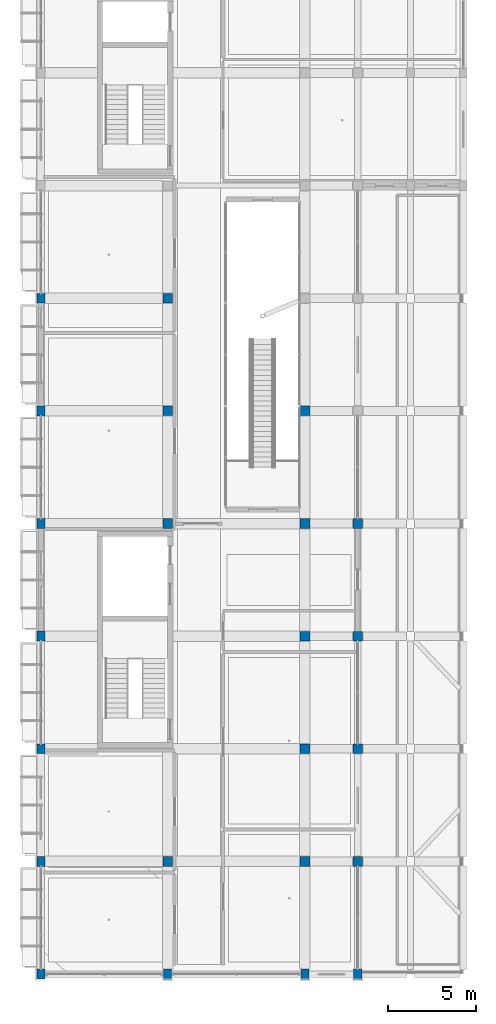
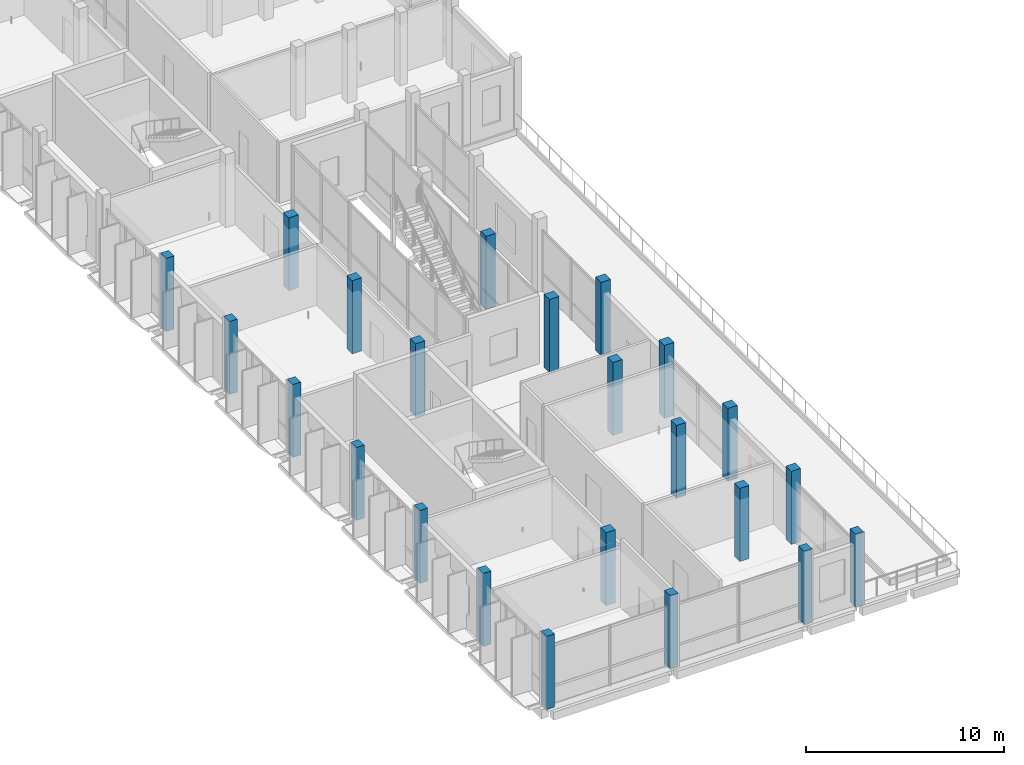
# One storey, part 1 of 95: 23 columns.
"""IFC4 building model written with IfcOpenShell, lengths in metres."""

from ifc_helpers import new_model, si_unit, derived_unit, direction, frame, origin, origin_2d, place, context, subcontext, project, spatial, rectangle, extrude, material, material_profile, profile_set, type_object, element, save


model = new_model("IFC4")

# Units and contexts
model_context = context("Model", 3, precision=1e-05, world=origin(), true_north=direction((0.0, 1.0)))
body_context = subcontext(model_context, "Body", "Model", "MODEL_VIEW")
ifc_project = project(units=[si_unit("LENGTHUNIT", "METRE"), si_unit("AREAUNIT", "SQUARE_METRE"), si_unit("VOLUMEUNIT", "CUBIC_METRE"), si_unit("PLANEANGLEUNIT", "RADIAN"), si_unit("MASSUNIT", "GRAM", prefix="KILO"), derived_unit("THERMALTRANSMITTANCEUNIT", [(si_unit("POWERUNIT", "WATT"), 1), (si_unit("LENGTHUNIT", "METRE"), -2), (si_unit("THERMODYNAMICTEMPERATUREUNIT", "KELVIN"), -1)])], contexts=[model_context])

# Site, building, storey
site_placement = place(None, origin())
site = spatial("IfcSite", under=ifc_project, at=site_placement, CompositionType="ELEMENT")
building_placement = place(site_placement, origin())
building = spatial("IfcBuilding", under=site, at=building_placement, Name="Braskholm Square Health Centre", CompositionType="ELEMENT")
storey_placement = place(building_placement, frame((0.0, 0.0, 4.800048828125)))
storey = spatial("IfcBuildingStorey", under=building, at=storey_placement, Name="L02", CompositionType="ELEMENT", Elevation=4.800048828125)

# Columns
ifc_material_1 = material(Name="Concrete C40/50 (f'c = 40 MPa)", Category="concrete")
ifc_material_profile_1 = material_profile(ifc_material_1, rectangle(XDim=0.550048828125, YDim=0.550048828125, at=origin_2d()), Name="RC-550X550")
ifc_profile_set_1 = profile_set([ifc_material_profile_1], Name="Concrete C40/50 (f'c = 40 MPa)")
column_type_1 = type_object("IfcColumnType", Name="ColInteriorMid550", PredefinedType="COLUMN", material=ifc_profile_set_1)
for number, where, z_axis, x_axis, name in (
    (1, (11.39990234375, 10.60009765625, 0.0), (0.0, 0.0, 1.0), (1.0, 0.0, 0.0), "Column 2/B L02"),
    (2, (11.39990234375, 29.800048828125, 0.0), (0.0, 0.0, 1.0), (1.0, 0.0, 0.0), "Column 2/E L02"),
    (3, (11.39990234375, 36.199951171875, 0.0), (0.0, 0.0, 1.0), (1.0, 0.0, 0.0), "Column 2/F L02"),
    (4, (11.39990234375, 42.60009765625, 0.0), (0.0, 0.0, 1.0), (1.0, 0.0, 0.0), "Column 2/G L02"),
    (5, (19.199951171875, 10.60009765625, 0.0), (0.0, 0.0, 1.0), (1.0, 0.0, 0.0), "Column 3/B L02"),
    (6, (19.199951171875, 17.0, 0.0), (0.0, 0.0, 1.0), (1.0, 0.0, 0.0), "Column 3/C L02"),
    (7, (19.199951171875, 23.39990234375, 0.0), (0.0, 0.0, 1.0), (1.0, 0.0, 0.0), "Column 3/D L02"),
    (8, (19.199951171875, 29.800048828125, 0.0), (0.0, 0.0, 1.0), (1.0, 0.0, 0.0), "Column 3/E L02"),
    (9, (19.199951171875, 36.199951171875, 0.0), (0.0, 0.0, 1.0), (1.0, 0.0, 0.0), "Column 3/F L02"),
    (10, (22.199951171875, 10.60009765625, 0.0), (0.0, 0.0, 1.0), (1.0, 0.0, 0.0), "Column 4/B L02"),
    (11, (22.199951171875, 17.0, 0.0), (0.0, 0.0, 1.0), (1.0, 0.0, 0.0), "Column 4/C L02"),
    (12, (22.199951171875, 23.39990234375, 0.0), (0.0, 0.0, 1.0), (1.0, 0.0, 0.0), "Column 4/D L02"),
    (13, (22.199951171875, 29.800048828125, 0.0), (0.0, 0.0, 1.0), (1.0, 0.0, 0.0), "Column 4/E L02"),
):
    element("IfcColumn", number, at=place(storey_placement, frame(where, z_axis=z_axis, x_axis=x_axis)), inside=storey, type_object=column_type_1, Name=name, PredefinedType="COLUMN", context=body_context, shape_type="SweptSolid", body=[
        extrude(rectangle(XDim=0.550048828125, YDim=0.550048828125, at=origin_2d()), origin(), (0.0, 0.0, 1.0), 4.5),
    ])
ifc_material_2 = material(Name="Precast concrete C40/50 architectural white", Category="concrete")
ifc_material_profile_2 = material_profile(ifc_material_2, rectangle(XDim=0.4599609375, YDim=0.56005859375, at=origin_2d()), Name="RC-460X560")
ifc_profile_set_2 = profile_set([ifc_material_profile_2], Name="Precast concrete C40/50 architectural white")
column_type_2 = type_object("IfcColumnType", Name="ColPrecastFrame460x560", PredefinedType="COLUMN", material=ifc_profile_set_2)
for number, where, z_axis, x_axis, name in (
    (14, (4.199951171875, 4.199951171875, 0.0), (0.0, 0.0, 1.0), (1.0, 0.0, 0.0), "Column 1/A L02"),
    (15, (4.199951171875, 10.60009765625, 0.0), (0.0, 0.0, 1.0), (1.0, 0.0, 0.0), "Column 1/B L02"),
    (16, (4.199951171875, 17.0, 0.0), (0.0, 0.0, 1.0), (1.0, 0.0, 0.0), "Column 1/C L02"),
    (17, (4.199951171875, 23.39990234375, 0.0), (0.0, 0.0, 1.0), (1.0, 0.0, 0.0), "Column 1/D L02"),
    (18, (4.199951171875, 29.800048828125, 0.0), (0.0, 0.0, 1.0), (1.0, 0.0, 0.0), "Column 1/E L02"),
    (19, (4.199951171875, 36.199951171875, 0.0), (0.0, 0.0, 1.0), (1.0, 0.0, 0.0), "Column 1/F L02"),
    (20, (4.199951171875, 42.60009765625, 0.0), (0.0, 0.0, 1.0), (1.0, 0.0, 0.0), "Column 1/G L02"),
    (21, (11.39990234375, 4.199951171875, 0.0), (0.0, 0.0, 1.0), (1.0, 0.0, 0.0), "Column 2/A L02"),
    (22, (19.199951171875, 4.199951171875, 0.0), (0.0, 0.0, 1.0), (1.0, 0.0, 0.0), "Column 3/A L02"),
    (23, (22.199951171875, 4.199951171875, 0.0), (0.0, 0.0, 1.0), (1.0, 0.0, 0.0), "Column 4/A L02"),
):
    element("IfcColumn", number, at=place(storey_placement, frame(where, z_axis=z_axis, x_axis=x_axis)), inside=storey, type_object=column_type_2, Name=name, PredefinedType="COLUMN", context=body_context, shape_type="SweptSolid", body=[
        extrude(rectangle(XDim=0.4599609375, YDim=0.56005859375, at=origin_2d()), origin(), (0.0, 0.0, 1.0), 4.5),
    ])

save(model, "model.ifc")
